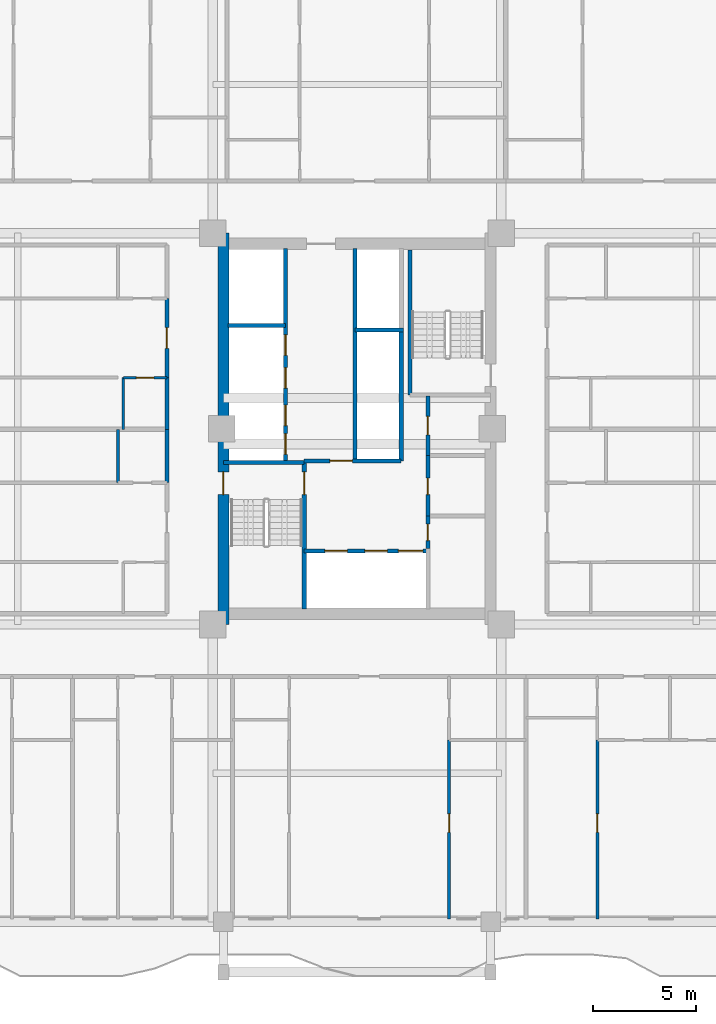
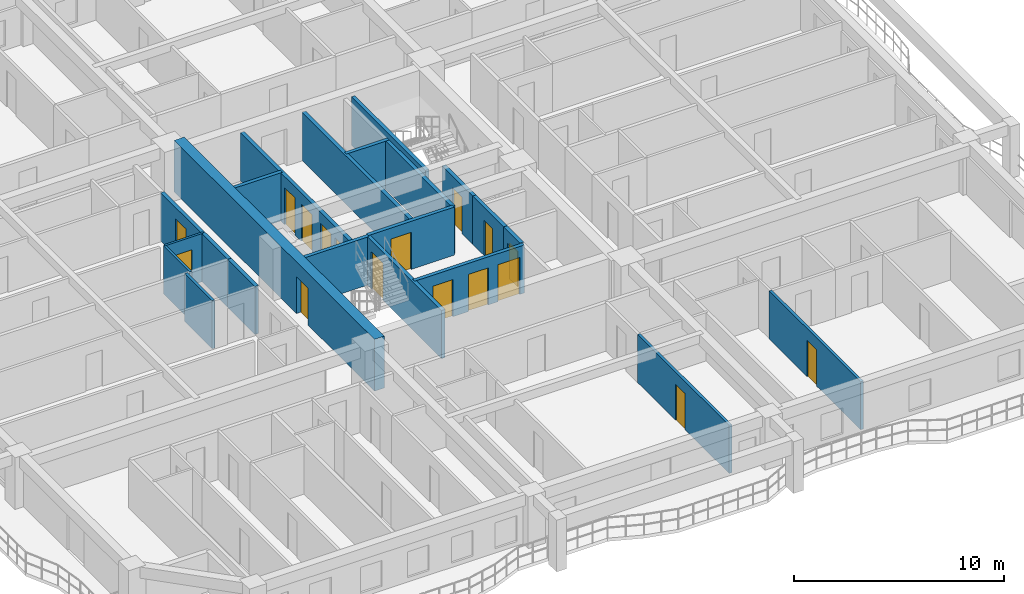
# One storey, part 4 of 13: 22 walls, 17 doors, 17 openings.
"""IFC4 building model written with IfcOpenShell, lengths in metres."""

from ifc_helpers import new_model, si_unit, direction, frame, frame_2d, origin, place, context, subcontext, project, spatial, rectangle, extrude, source, transform, mapped, material, layer, layer_set, type_object, element, fill, save


model = new_model("IFC4")

# Units and contexts
model_context = context("Model", 3, precision=1e-05, world=origin(), true_north=direction((0.0, 1.0)))
body_context = subcontext(model_context, "Body", "Model", "MODEL_VIEW")
ifc_project = project(units=[si_unit("LENGTHUNIT", "METRE"), si_unit("AREAUNIT", "SQUARE_METRE"), si_unit("VOLUMEUNIT", "CUBIC_METRE"), si_unit("PLANEANGLEUNIT", "RADIAN"), si_unit("MASSUNIT", "GRAM", prefix="KILO")], contexts=[model_context])

# Site, building, storey
site_placement = place(None, origin())
site = spatial("IfcSite", under=ifc_project, at=site_placement, CompositionType="ELEMENT")
building_placement = place(site_placement, origin())
building = spatial("IfcBuilding", under=site, at=building_placement, Name="Saelheon Loggia Tower", CompositionType="ELEMENT")
storey_placement = place(building_placement, frame((0.0, 0.0, 83.85009765625)))
storey = spatial("IfcBuildingStorey", under=building, at=storey_placement, Name="L26", CompositionType="ELEMENT", Elevation=83.85009765625)

# Wall, opening, door
ifc_material_1 = material(Name="Concrete C50/60", Category="concrete")
ifc_layer_1 = layer(ifc_material_1, 0.550048828125)
ifc_layer_set_1 = layer_set([ifc_layer_1], Name="Concrete C50/60")
wall_type_1 = type_object("IfcWallType", Name="Wall_CoreShear_550", PredefinedType="SHEAR", material=ifc_layer_set_1)
wall_1_placement = place(storey_placement, frame((31.5, 17.47998046875, 0.0), z_axis=(0.0, 0.0, 1.0), x_axis=(0.0, 1.0, 0.0)))
wall_1 = element("IfcWall", 1, at=wall_1_placement, inside=storey, type_object=wall_type_1, Name="L26 Core Shear Wall West", PredefinedType="SHEAR", context=body_context, shape_type="SweptSolid", body=[
    extrude(rectangle(XDim=19.0400390625, YDim=0.550048828125, at=frame_2d((9.52001953125, 0.0))), origin(), (0.0, 0.0, 1.0), 3.0),
])
opening_1_placement = place(wall_1_placement, frame((6.320068359375, 0.0, 0.0)))
opening_1 = element("IfcOpeningElement", 2, at=opening_1_placement, cuts=wall_1, Name="Opening D-FD2", PredefinedType="OPENING", context=body_context, shape_type="SweptSolid", body=[
    extrude(rectangle(XDim=1.10009765625, YDim=2.14990234375, at=frame_2d((0.550048828125, 1.074951171875))), frame((0.0, 0.287109375, 0.0), z_axis=(0.0, -1.0, 0.0), x_axis=(1.0, 0.0, 0.0)), (0.0, 0.0, 1.0), 0.573974609375),
])
ifc_material_2 = material(Name="Galvanised Steel Fire Door", Category="steel")
door_type_1 = type_object("IfcDoorType", Name="Door_Fire_FD60_1100", OperationType="NOTDEFINED", PredefinedType="DOOR", material=ifc_material_2)
shared_shape_1 = source(origin(), body_context, "Body", "SweptSolid", [
    extrude(rectangle(XDim=1.10009765625, YDim=2.14990234375, at=frame_2d((0.550048828125, 1.074951171875))), frame((0.0, 0.02490234375, 0.0), z_axis=(0.0, -1.0, 0.0), x_axis=(1.0, 0.0, 0.0)), (0.0, 0.0, 1.0), 0.050048828125),
])
door_1_placement = place(opening_1_placement, origin())
door_1 = element("IfcDoor", 3, at=door_1_placement, inside=storey, type_object=door_type_1, Name="L26 Stair ST1 Corridor Door", OperationType="SINGLE_SWING_LEFT", OverallHeight=2.14990234375, OverallWidth=1.10009765625, PredefinedType="DOOR", context=body_context, shape_type="MappedRepresentation", body=[
    mapped(shared_shape_1, transform((0.0, 0.0, 0.0), scale=1.0)),
])
fill(opening_1, door_1)

ifc_material_3 = material(Name="Lightweight Autoclaved Aerated Concrete Block and Acoustic Gypsum", Category="concrete")
ifc_layer_2 = layer(ifc_material_3, 0.14990234375)
ifc_layer_set_2 = layer_set([ifc_layer_2], Name="Lightweight Autoclaved Aerated Concrete Block and Acoustic Gypsum")
wall_type_2 = type_object("IfcWallType", Name="Wall_Part_150", PredefinedType="PARTITIONING", material=ifc_layer_set_2)
wall_2_placement = place(storey_placement, frame((42.47998046875, 11.85009765625, 0.0), z_axis=(0.0, 0.0, 1.0), x_axis=(0.0, -1.0, 0.0)))
wall_2 = element("IfcWall", 4, at=wall_2_placement, inside=storey, type_object=wall_type_2, Name="L26 S Partition U34", PredefinedType="PARTITIONING", context=body_context, shape_type="SweptSolid", body=[
    extrude(rectangle(XDim=8.7001953125, YDim=0.14990234375, at=frame_2d((4.35009765625, 0.0))), origin(), (0.0, 0.0, 1.0), 2.789794921875),
])
opening_2_placement = place(wall_2_placement, frame((3.594970703125, 0.0, 0.0)))
opening_2 = element("IfcOpeningElement", 5, at=opening_2_placement, cuts=wall_2, Name="Opening D-IN2", PredefinedType="OPENING", context=body_context, shape_type="SweptSolid", body=[
    extrude(rectangle(XDim=0.89990234375, YDim=2.10009765625, at=frame_2d((0.449951171875, 1.050048828125))), frame((0.0, 0.0869140625, 0.0), z_axis=(0.0, -1.0, 0.0), x_axis=(1.0, 0.0, 0.0)), (0.0, 0.0, 1.0), 0.173828125),
])
ifc_material_4 = material(Name="Engineered Oak Flush Door", Category="timber")
door_type_2 = type_object("IfcDoorType", Name="Door_Int_900", OperationType="NOTDEFINED", PredefinedType="DOOR", material=ifc_material_4)
shared_shape_2 = source(origin(), body_context, "Body", "SweptSolid", [
    extrude(rectangle(XDim=0.89990234375, YDim=2.10009765625, at=frame_2d((0.449951171875, 1.050048828125))), frame((0.0, 0.02490234375, 0.0), z_axis=(0.0, -1.0, 0.0), x_axis=(1.0, 0.0, 0.0)), (0.0, 0.0, 1.0), 0.050048828125),
])
door_2_placement = place(opening_2_placement, origin())
door_2 = element("IfcDoor", 6, at=door_2_placement, inside=storey, type_object=door_type_2, Name="Unit U03 Bedroom 1 Door", OperationType="SINGLE_SWING_RIGHT", OverallHeight=2.10009765625, OverallWidth=0.89990234375, PredefinedType="DOOR", context=body_context, shape_type="MappedRepresentation", body=[
    mapped(shared_shape_2, transform((0.0, 0.0, 0.0), scale=1.0)),
])
fill(opening_2, door_2)

wall_3_placement = place(storey_placement, frame((49.70068359375, 11.85009765625, 0.0), z_axis=(0.0, 0.0, 1.0), x_axis=(0.0, -1.0, 0.0)))
wall_3 = element("IfcWall", 7, at=wall_3_placement, inside=storey, type_object=wall_type_2, Name="L26 S Partition U47", PredefinedType="PARTITIONING", context=body_context, shape_type="SweptSolid", body=[
    extrude(rectangle(XDim=8.7001953125, YDim=0.14990234375, at=frame_2d((4.35009765625, 0.0))), origin(), (0.0, 0.0, 1.0), 2.789794921875),
])
opening_3_placement = place(wall_3_placement, frame((3.594970703125, 0.0, 0.0)))
opening_3 = element("IfcOpeningElement", 8, at=opening_3_placement, cuts=wall_3, Name="Opening D-IN2", PredefinedType="OPENING", context=body_context, shape_type="SweptSolid", body=[
    extrude(rectangle(XDim=0.89990234375, YDim=2.10009765625, at=frame_2d((0.449951171875, 1.050048828125))), frame((0.0, 0.0869140625, 0.0), z_axis=(0.0, -1.0, 0.0), x_axis=(1.0, 0.0, 0.0)), (0.0, 0.0, 1.0), 0.173828125),
])
door_3_placement = place(opening_3_placement, origin())
door_3 = element("IfcDoor", 9, at=door_3_placement, inside=storey, type_object=door_type_2, Name="Unit U04 Bedroom 2 Door", OperationType="SINGLE_SWING_LEFT", OverallHeight=2.10009765625, OverallWidth=0.89990234375, PredefinedType="DOOR", context=body_context, shape_type="MappedRepresentation", body=[
    mapped(shared_shape_2, transform((0.0, 0.0, 0.0), scale=1.0)),
])
fill(opening_3, door_3)

# Walls
wall_4_placement = place(storey_placement, frame((26.3701171875, 24.375, 0.0), z_axis=(0.0, 0.0, 1.0), x_axis=(0.0, 1.0, 0.0)))
element("IfcWall", 10, at=wall_4_placement, inside=storey, type_object=wall_type_2, Name="L26 W Partition V07", PredefinedType="PARTITIONING", context=body_context, shape_type="SweptSolid", body=[
    extrude(rectangle(XDim=2.60009765625, YDim=0.14990234375, at=frame_2d((1.300048828125, 0.0))), origin(), (0.0, 0.0, 1.0), 2.789794921875),
])
ifc_material_5 = material(Name="Double Acoustic Stud and Fireboard Partition", Category="gypsum")
ifc_layer_3 = layer(ifc_material_5, 0.199951171875)
ifc_layer_set_3 = layer_set([ifc_layer_3], Name="Double Acoustic Stud and Fireboard Partition")
wall_type_3 = type_object("IfcWallType", Name="Wall_Party_200", PredefinedType="PARTITIONING", material=ifc_layer_set_3)
wall_5_placement = place(storey_placement, frame((28.75, 24.375, 0.0), z_axis=(0.0, 0.0, 1.0), x_axis=(0.0, 1.0, 0.0)))
element("IfcWall", 11, at=wall_5_placement, inside=storey, type_object=wall_type_3, Name="L26 W Partition V05", PredefinedType="PARTITIONING", context=body_context, shape_type="SweptSolid", body=[
    extrude(rectangle(XDim=2.60009765625, YDim=0.199951171875, at=frame_2d((1.300048828125, 0.0))), origin(), (0.0, 0.0, 1.0), 2.789794921875),
])
wall_6_placement = place(storey_placement, frame((28.75, 26.97509765625, 0.0), z_axis=(0.0, 0.0, 1.0), x_axis=(0.0, 1.0, 0.0)))
element("IfcWall", 12, at=wall_6_placement, inside=storey, type_object=wall_type_3, Name="L26 W Partition V13", PredefinedType="PARTITIONING", context=body_context, shape_type="SweptSolid", body=[
    extrude(rectangle(XDim=2.512939453125, YDim=0.199951171875, at=frame_2d((1.25634765625, 0.0))), origin(), (0.0, 0.0, 1.0), 2.789794921875),
])

# Wall, opening, door
wall_7_placement = place(storey_placement, frame((28.75, 29.488037109375, 0.0), z_axis=(0.0, 0.0, 1.0), x_axis=(0.0, 1.0, 0.0)))
wall_7 = element("IfcWall", 13, at=wall_7_placement, inside=storey, type_object=wall_type_3, Name="L26 W Partition V14", PredefinedType="PARTITIONING", context=body_context, shape_type="SweptSolid", body=[
    extrude(rectangle(XDim=3.862060546875, YDim=0.199951171875, at=frame_2d((1.93115234375, 0.0))), origin(), (0.0, 0.0, 1.0), 2.789794921875),
])
opening_4_placement = place(wall_7_placement, frame((1.430908203125, 0.0, 0.0)))
opening_4 = element("IfcOpeningElement", 14, at=opening_4_placement, cuts=wall_7, Name="Opening D-FD1", PredefinedType="OPENING", context=body_context, shape_type="SweptSolid", body=[
    extrude(rectangle(XDim=1.0, YDim=2.14990234375, at=frame_2d((0.5, 1.074951171875))), frame((0.0, 0.112060546875, 0.0), z_axis=(0.0, -1.0, 0.0), x_axis=(1.0, 0.0, 0.0)), (0.0, 0.0, 1.0), 0.223876953125),
])
ifc_material_6 = material(Name="Fire-Rated Engineered Timber Entrance Door", Category="wood")
door_type_3 = type_object("IfcDoorType", Name="Door_Flat_FD30S", OperationType="NOTDEFINED", PredefinedType="DOOR", material=ifc_material_6)
shared_shape_3 = source(origin(), body_context, "Body", "SweptSolid", [
    extrude(rectangle(XDim=1.0, YDim=2.14990234375, at=frame_2d((0.5, 1.074951171875))), frame((0.0, 0.02490234375, 0.0), z_axis=(0.0, -1.0, 0.0), x_axis=(1.0, 0.0, 0.0)), (0.0, 0.0, 1.0), 0.050048828125),
])
door_4_placement = place(opening_4_placement, origin())
door_4 = element("IfcDoor", 15, at=door_4_placement, inside=storey, type_object=door_type_3, Name="Unit U09 Entrance Door", OperationType="SINGLE_SWING_LEFT", OverallHeight=2.14990234375, OverallWidth=1.0, PredefinedType="DOOR", context=body_context, shape_type="MappedRepresentation", body=[
    mapped(shared_shape_3, transform((0.0, 0.0, 0.0), scale=1.0)),
])
fill(opening_4, door_4)

ifc_material_7 = material(Name="Concrete C40/50", Category="concrete")
ifc_layer_4 = layer(ifc_material_7, 0.199951171875)
ifc_layer_set_4 = layer_set([ifc_layer_4], Name="Concrete C40/50")
wall_type_4 = type_object("IfcWallType", Name="Wall_Shaft_200", PredefinedType="PARTITIONING", material=ifc_layer_set_4)
wall_8_placement = place(storey_placement, frame((41.449951171875, 21.179931640625, 0.0), z_axis=(0.0, 0.0, 1.0), x_axis=(0.0, 1.0, 0.0)))
wall_8 = element("IfcWall", 16, at=wall_8_placement, inside=storey, type_object=wall_type_4, Name="CW-INT-L26-BOH-W1", PredefinedType="PARTITIONING", context=body_context, shape_type="SweptSolid", body=[
    extrude(rectangle(XDim=1.570068359375, YDim=0.199951171875, at=frame_2d((0.78515625, 0.0))), origin(), (0.0, 0.0, 1.0), 2.789794921875),
])
opening_5_placement = place(wall_8_placement, frame((0.3798828125, 0.0, 0.0)))
opening_5 = element("IfcOpeningElement", 17, at=opening_5_placement, cuts=wall_8, Name="Opening D-ST1", PredefinedType="OPENING", context=body_context, shape_type="SweptSolid", body=[
    extrude(rectangle(XDim=0.800048828125, YDim=2.050048828125, at=frame_2d((0.39990234375, 1.02490234375))), frame((0.0, 0.112060546875, 0.0), z_axis=(0.0, -1.0, 0.0), x_axis=(1.0, 0.0, 0.0)), (0.0, 0.0, 1.0), 0.223876953125),
])
ifc_material_8 = material(Name="Powder-Coated Steel Store Door", Category="steel")
door_type_4 = type_object("IfcDoorType", Name="Door_Store_800", OperationType="NOTDEFINED", PredefinedType="DOOR", material=ifc_material_8)
shared_shape_4 = source(origin(), body_context, "Body", "SweptSolid", [
    extrude(rectangle(XDim=0.800048828125, YDim=2.050048828125, at=frame_2d((0.39990234375, 1.02490234375))), frame((0.0, 0.02490234375, 0.0), z_axis=(0.0, -1.0, 0.0), x_axis=(1.0, 0.0, 0.0)), (0.0, 0.0, 1.0), 0.050048828125),
])
door_5_placement = place(opening_5_placement, origin())
door_5 = element("IfcDoor", 18, at=door_5_placement, inside=storey, type_object=door_type_4, Name="L26 Cleaner Store Door", OperationType="SINGLE_SWING_LEFT", OverallHeight=2.050048828125, OverallWidth=0.800048828125, PredefinedType="DOOR", context=body_context, shape_type="MappedRepresentation", body=[
    mapped(shared_shape_4, transform((0.0, 0.0, 0.0), scale=1.0)),
])
fill(opening_5, door_5)

wall_9_placement = place(storey_placement, frame((41.449951171875, 22.75, 0.0), z_axis=(0.0, 0.0, 1.0), x_axis=(0.0, 1.0, 0.0)))
wall_9 = element("IfcWall", 19, at=wall_9_placement, inside=storey, type_object=wall_type_4, Name="CW-INT-L26-BOH-W2", PredefinedType="PARTITIONING", context=body_context, shape_type="SweptSolid", body=[
    extrude(rectangle(XDim=2.949951171875, YDim=0.199951171875, at=frame_2d((1.47509765625, 0.0))), origin(), (0.0, 0.0, 1.0), 2.789794921875),
])
opening_6_placement = place(wall_9_placement, frame((1.050048828125, 0.0, 0.0)))
opening_6 = element("IfcOpeningElement", 20, at=opening_6_placement, cuts=wall_9, Name="Opening D-ST1", PredefinedType="OPENING", context=body_context, shape_type="SweptSolid", body=[
    extrude(rectangle(XDim=0.800048828125, YDim=2.050048828125, at=frame_2d((0.39990234375, 1.02490234375))), frame((0.0, 0.112060546875, 0.0), z_axis=(0.0, -1.0, 0.0), x_axis=(1.0, 0.0, 0.0)), (0.0, 0.0, 1.0), 0.223876953125),
])
door_6_placement = place(opening_6_placement, origin())
door_6 = element("IfcDoor", 21, at=door_6_placement, inside=storey, type_object=door_type_4, Name="L26 Electrical Riser Door", OperationType="SINGLE_SWING_RIGHT", OverallHeight=2.050048828125, OverallWidth=0.800048828125, PredefinedType="DOOR", context=body_context, shape_type="MappedRepresentation", body=[
    mapped(shared_shape_4, transform((0.0, 0.0, 0.0), scale=1.0)),
])
fill(opening_6, door_6)

wall_10_placement = place(storey_placement, frame((41.449951171875, 25.699951171875, 0.0), z_axis=(0.0, 0.0, 1.0), x_axis=(0.0, 1.0, 0.0)))
wall_10 = element("IfcWall", 22, at=wall_10_placement, inside=storey, type_object=wall_type_4, Name="CW-INT-L26-BOH-W3", PredefinedType="PARTITIONING", context=body_context, shape_type="SweptSolid", body=[
    extrude(rectangle(XDim=2.900146484375, YDim=0.199951171875, at=frame_2d((1.4501953125, 0.0))), origin(), (0.0, 0.0, 1.0), 2.789794921875),
])
opening_7_placement = place(wall_10_placement, frame((1.0, 0.0, 0.0)))
opening_7 = element("IfcOpeningElement", 23, at=opening_7_placement, cuts=wall_10, Name="Opening D-RS1", PredefinedType="OPENING", context=body_context, shape_type="SweptSolid", body=[
    extrude(rectangle(XDim=0.89990234375, YDim=2.10009765625, at=frame_2d((0.449951171875, 1.050048828125))), frame((0.0, 0.112060546875, 0.0), z_axis=(0.0, -1.0, 0.0), x_axis=(1.0, 0.0, 0.0)), (0.0, 0.0, 1.0), 0.223876953125),
])
ifc_material_9 = material(Name="Galvanised Steel Riser Access Door", Category="steel")
door_type_5 = type_object("IfcDoorType", Name="Door_Riser_FD60", OperationType="NOTDEFINED", PredefinedType="DOOR", material=ifc_material_9)
door_7_placement = place(opening_7_placement, origin())
door_7 = element("IfcDoor", 24, at=door_7_placement, inside=storey, type_object=door_type_5, Name="L26 Floor IT Room Door", OperationType="SINGLE_SWING_LEFT", OverallHeight=2.10009765625, OverallWidth=0.89990234375, PredefinedType="DOOR", context=body_context, shape_type="MappedRepresentation", body=[
    mapped(shared_shape_2, transform((0.0, 0.0, 0.0), scale=1.0)),
])
fill(opening_7, door_7)

# Wall
wall_11_placement = place(storey_placement, frame((40.14990234375, 25.43994140625, 0.0), z_axis=(0.0, 0.0, 1.0), x_axis=(0.0, 1.0, 0.0)))
element("IfcWall", 25, at=wall_11_placement, inside=storey, type_object=wall_type_4, Name="L26 Core Service Passage West Wall", PredefinedType="PARTITIONING", context=body_context, shape_type="SweptSolid", body=[
    extrude(rectangle(XDim=6.360107421875, YDim=0.199951171875, at=frame_2d((3.18017578125, 0.0))), origin(), (0.0, 0.0, 1.0), 2.789794921875),
])

# Wall, openings, doors
wall_12_placement = place(storey_placement, frame((35.429931640625, 21.06005859375, 0.0), z_axis=(0.0, 0.0, 1.0), x_axis=(1.0, 0.0, 0.0)))
wall_12 = element("IfcWall", 26, at=wall_12_placement, inside=storey, type_object=wall_type_4, Name="L26 Firefighting Lift Shaft Front Wall", PredefinedType="PARTITIONING", context=body_context, shape_type="SweptSolid", body=[
    extrude(rectangle(XDim=6.02001953125, YDim=0.199951171875, at=frame_2d((3.010009765625, 0.0))), origin(), (0.0, 0.0, 1.0), 2.789794921875),
])
opening_8_placement = place(wall_12_placement, frame((1.0, 0.0, 0.0)))
opening_8 = element("IfcOpeningElement", 27, at=opening_8_placement, cuts=wall_12, Name="Opening LD2", PredefinedType="OPENING", context=body_context, shape_type="SweptSolid", body=[
    extrude(rectangle(XDim=1.10009765625, YDim=2.14990234375, at=frame_2d((0.550048828125, 1.074951171875))), frame((0.0, 0.112060546875, 0.0), z_axis=(0.0, -1.0, 0.0), x_axis=(1.0, 0.0, 0.0)), (0.0, 0.0, 1.0), 0.223876953125),
])
opening_9_placement = place(wall_12_placement, frame((2.949951171875, 0.0, 0.0)))
opening_9 = element("IfcOpeningElement", 28, at=opening_9_placement, cuts=wall_12, Name="Opening LD2", PredefinedType="OPENING", context=body_context, shape_type="SweptSolid", body=[
    extrude(rectangle(XDim=1.10009765625, YDim=2.14990234375, at=frame_2d((0.550048828125, 1.074951171875))), frame((0.0, 0.112060546875, 0.0), z_axis=(0.0, -1.0, 0.0), x_axis=(1.0, 0.0, 0.0)), (0.0, 0.0, 1.0), 0.223876953125),
])
opening_10_placement = place(wall_12_placement, frame((4.580078125, 0.0, 0.0)))
opening_10 = element("IfcOpeningElement", 29, at=opening_10_placement, cuts=wall_12, Name="Opening LD3", PredefinedType="OPENING", context=body_context, shape_type="SweptSolid", body=[
    extrude(rectangle(XDim=1.199951171875, YDim=2.14990234375, at=frame_2d((0.60009765625, 1.074951171875))), frame((0.0, 0.112060546875, 0.0), z_axis=(0.0, -1.0, 0.0), x_axis=(1.0, 0.0, 0.0)), (0.0, 0.0, 1.0), 0.223876953125),
])
ifc_material_10 = material(Name="Firefighting Stainless Steel 316 Landing Door", Category="steel")
door_type_6 = type_object("IfcDoorType", Name="Door_Lift_LD2", OperationType="DOUBLE_DOOR_SLIDING", PredefinedType="DOOR", material=ifc_material_10)
door_8_placement = place(opening_8_placement, origin())
door_8 = element("IfcDoor", 30, at=door_8_placement, inside=storey, type_object=door_type_6, Name="L26 FF1 Landing Door", OperationType="DOUBLE_DOOR_SLIDING", OverallHeight=2.14990234375, OverallWidth=1.10009765625, PredefinedType="DOOR", context=body_context, shape_type="MappedRepresentation", body=[
    mapped(shared_shape_1, transform((0.0, 0.0, 0.0), scale=1.0)),
])
fill(opening_8, door_8)
door_9_placement = place(opening_9_placement, origin())
door_9 = element("IfcDoor", 31, at=door_9_placement, inside=storey, type_object=door_type_6, Name="L26 FF2 Landing Door", OperationType="DOUBLE_DOOR_SLIDING", OverallHeight=2.14990234375, OverallWidth=1.10009765625, PredefinedType="DOOR", context=body_context, shape_type="MappedRepresentation", body=[
    mapped(shared_shape_1, transform((0.0, 0.0, 0.0), scale=1.0)),
])
fill(opening_9, door_9)
ifc_material_11 = material(Name="Stretcher Lift Stainless Steel 304 Landing Door", Category="steel")
door_type_7 = type_object("IfcDoorType", Name="Door_Lift_LD3", OperationType="DOUBLE_DOOR_SLIDING", PredefinedType="DOOR", material=ifc_material_11)
shared_shape_5 = source(origin(), body_context, "Body", "SweptSolid", [
    extrude(rectangle(XDim=1.199951171875, YDim=2.14990234375, at=frame_2d((0.60009765625, 1.074951171875))), frame((0.0, 0.02490234375, 0.0), z_axis=(0.0, -1.0, 0.0), x_axis=(1.0, 0.0, 0.0)), (0.0, 0.0, 1.0), 0.050048828125),
])
door_10_placement = place(opening_10_placement, origin())
door_10 = element("IfcDoor", 32, at=door_10_placement, inside=storey, type_object=door_type_7, Name="L26 SV1 Landing Door", OperationType="DOUBLE_DOOR_SLIDING", OverallHeight=2.14990234375, OverallWidth=1.199951171875, PredefinedType="DOOR", context=body_context, shape_type="MappedRepresentation", body=[
    mapped(shared_shape_5, transform((0.0, 0.0, 0.0), scale=1.0)),
])
fill(opening_10, door_10)

# Wall, opening, door
wall_13_placement = place(storey_placement, frame((35.429931640625, 25.43994140625, 0.0), z_axis=(0.0, 0.0, 1.0), x_axis=(1.0, 0.0, 0.0)))
wall_13 = element("IfcWall", 33, at=wall_13_placement, inside=storey, type_object=wall_type_4, Name="L26 Firefighting Lobby Compartment Wall", PredefinedType="PARTITIONING", context=body_context, shape_type="SweptSolid", body=[
    extrude(rectangle(XDim=4.719970703125, YDim=0.199951171875, at=frame_2d((2.35986328125, 0.0))), origin(), (0.0, 0.0, 1.0), 2.789794921875),
])
opening_11_placement = place(wall_13_placement, frame((1.25, 0.0, 0.0)))
opening_11 = element("IfcOpeningElement", 34, at=opening_11_placement, cuts=wall_13, Name="Opening D-FD2", PredefinedType="OPENING", context=body_context, shape_type="SweptSolid", body=[
    extrude(rectangle(XDim=1.10009765625, YDim=2.14990234375, at=frame_2d((0.550048828125, 1.074951171875))), frame((0.0, 0.112060546875, 0.0), z_axis=(0.0, -1.0, 0.0), x_axis=(1.0, 0.0, 0.0)), (0.0, 0.0, 1.0), 0.223876953125),
])
door_11_placement = place(opening_11_placement, origin())
door_11 = element("IfcDoor", 35, at=door_11_placement, inside=storey, type_object=door_type_1, Name="L26 Firefighting Lobby Door", OperationType="SINGLE_SWING_RIGHT", OverallHeight=2.14990234375, OverallWidth=1.10009765625, PredefinedType="DOOR", context=body_context, shape_type="MappedRepresentation", body=[
    mapped(shared_shape_1, transform((0.0, 0.0, 0.0), scale=1.0)),
])
fill(opening_11, door_11)

# Wall, openings, doors
wall_14_placement = place(storey_placement, frame((34.52001953125, 25.43994140625, 0.0), z_axis=(0.0, 0.0, 1.0), x_axis=(0.0, 1.0, 0.0)))
wall_14 = element("IfcWall", 36, at=wall_14_placement, inside=storey, type_object=wall_type_4, Name="L26 West Passenger Lift Bank Wall", PredefinedType="PARTITIONING", context=body_context, shape_type="SweptSolid", body=[
    extrude(rectangle(XDim=10.340087890625, YDim=0.199951171875, at=frame_2d((5.169921875, 0.0))), origin(), (0.0, 0.0, 1.0), 2.789794921875),
])
opening_12_placement = place(wall_14_placement, frame((0.320068359375, 0.0, 0.0)))
opening_12 = element("IfcOpeningElement", 37, at=opening_12_placement, cuts=wall_14, Name="Opening LD1", PredefinedType="OPENING", context=body_context, shape_type="SweptSolid", body=[
    extrude(rectangle(XDim=1.0, YDim=2.14990234375, at=frame_2d((0.5, 1.074951171875))), frame((0.0, 0.112060546875, 0.0), z_axis=(0.0, -1.0, 0.0), x_axis=(1.0, 0.0, 0.0)), (0.0, 0.0, 1.0), 0.223876953125),
])
opening_13_placement = place(wall_14_placement, frame((1.7099609375, 0.0, 0.0)))
opening_13 = element("IfcOpeningElement", 38, at=opening_13_placement, cuts=wall_14, Name="Opening LD1", PredefinedType="OPENING", context=body_context, shape_type="SweptSolid", body=[
    extrude(rectangle(XDim=1.0, YDim=2.14990234375, at=frame_2d((0.5, 1.074951171875))), frame((0.0, 0.112060546875, 0.0), z_axis=(0.0, -1.0, 0.0), x_axis=(1.0, 0.0, 0.0)), (0.0, 0.0, 1.0), 0.223876953125),
])
opening_14_placement = place(wall_14_placement, frame((3.534912109375, 0.0, 0.0)))
opening_14 = element("IfcOpeningElement", 39, at=opening_14_placement, cuts=wall_14, Name="Opening LD1", PredefinedType="OPENING", context=body_context, shape_type="SweptSolid", body=[
    extrude(rectangle(XDim=1.0, YDim=2.14990234375, at=frame_2d((0.5, 1.074951171875))), frame((0.0, 0.112060546875, 0.0), z_axis=(0.0, -1.0, 0.0), x_axis=(1.0, 0.0, 0.0)), (0.0, 0.0, 1.0), 0.223876953125),
])
opening_15_placement = place(wall_14_placement, frame((5.135009765625, 0.0, 0.0)))
opening_15 = element("IfcOpeningElement", 40, at=opening_15_placement, cuts=wall_14, Name="Opening LD1", PredefinedType="OPENING", context=body_context, shape_type="SweptSolid", body=[
    extrude(rectangle(XDim=1.0, YDim=2.14990234375, at=frame_2d((0.5, 1.074951171875))), frame((0.0, 0.112060546875, 0.0), z_axis=(0.0, -1.0, 0.0), x_axis=(1.0, 0.0, 0.0)), (0.0, 0.0, 1.0), 0.223876953125),
])
ifc_material_12 = material(Name="Brushed Stainless Steel 304 Landing Door", Category="steel")
door_type_8 = type_object("IfcDoorType", Name="Door_Lift_LD1", OperationType="DOUBLE_DOOR_SLIDING", PredefinedType="DOOR", material=ifc_material_12)
door_12_placement = place(opening_12_placement, origin())
door_12 = element("IfcDoor", 41, at=door_12_placement, inside=storey, type_object=door_type_8, Name="L26 PL1 Landing Door", OperationType="DOUBLE_DOOR_SLIDING", OverallHeight=2.14990234375, OverallWidth=1.0, PredefinedType="DOOR", context=body_context, shape_type="MappedRepresentation", body=[
    mapped(shared_shape_3, transform((0.0, 0.0, 0.0), scale=1.0)),
])
fill(opening_12, door_12)
door_13_placement = place(opening_13_placement, origin())
door_13 = element("IfcDoor", 42, at=door_13_placement, inside=storey, type_object=door_type_8, Name="L26 PL2 Landing Door", OperationType="DOUBLE_DOOR_SLIDING", OverallHeight=2.14990234375, OverallWidth=1.0, PredefinedType="DOOR", context=body_context, shape_type="MappedRepresentation", body=[
    mapped(shared_shape_3, transform((0.0, 0.0, 0.0), scale=1.0)),
])
fill(opening_13, door_13)
door_14_placement = place(opening_14_placement, origin())
door_14 = element("IfcDoor", 43, at=door_14_placement, inside=storey, type_object=door_type_8, Name="L26 PL3 Landing Door", OperationType="DOUBLE_DOOR_SLIDING", OverallHeight=2.14990234375, OverallWidth=1.0, PredefinedType="DOOR", context=body_context, shape_type="MappedRepresentation", body=[
    mapped(shared_shape_3, transform((0.0, 0.0, 0.0), scale=1.0)),
])
fill(opening_14, door_14)
door_15_placement = place(opening_15_placement, origin())
door_15 = element("IfcDoor", 44, at=door_15_placement, inside=storey, type_object=door_type_8, Name="L26 PL4 Landing Door", OperationType="DOUBLE_DOOR_SLIDING", OverallHeight=2.14990234375, OverallWidth=1.0, PredefinedType="DOOR", context=body_context, shape_type="MappedRepresentation", body=[
    mapped(shared_shape_3, transform((0.0, 0.0, 0.0), scale=1.0)),
])
fill(opening_15, door_15)

# Walls
wall_15_placement = place(storey_placement, frame((31.719970703125, 32.02001953125, 0.0), z_axis=(0.0, 0.0, 1.0), x_axis=(1.0, 0.0, 0.0)))
element("IfcWall", 45, at=wall_15_placement, inside=storey, type_object=wall_type_4, Name="L26 West High-Rise Shaft Divider", PredefinedType="PARTITIONING", context=body_context, shape_type="SweptSolid", body=[
    extrude(rectangle(XDim=2.800048828125, YDim=0.199951171875, at=frame_2d((1.39990234375, 0.0))), origin(), (0.0, 0.0, 1.0), 2.789794921875),
])
wall_16_placement = place(storey_placement, frame((37.89990234375, 25.43994140625, 0.0), z_axis=(0.0, 0.0, 1.0), x_axis=(0.0, 1.0, 0.0)))
element("IfcWall", 46, at=wall_16_placement, inside=storey, type_object=wall_type_4, Name="L26 East Passenger Lift Bank Wall", PredefinedType="PARTITIONING", context=body_context, shape_type="SweptSolid", body=[
    extrude(rectangle(XDim=10.340087890625, YDim=0.199951171875, at=frame_2d((5.169921875, 0.0))), origin(), (0.0, 0.0, 1.0), 2.789794921875),
])
wall_17_placement = place(storey_placement, frame((37.89990234375, 31.800048828125, 0.0), z_axis=(0.0, 0.0, 1.0), x_axis=(1.0, 0.0, 0.0)))
element("IfcWall", 47, at=wall_17_placement, inside=storey, type_object=wall_type_4, Name="L26 East High-Rise Shaft Divider", PredefinedType="PARTITIONING", context=body_context, shape_type="SweptSolid", body=[
    extrude(rectangle(XDim=2.35009765625, YDim=0.199951171875, at=frame_2d((1.175048828125, 0.0))), origin(), (0.0, 0.0, 1.0), 2.789794921875),
])

# Wall, opening, door
ifc_material_13 = material(Name="Concrete C45/55", Category="concrete")
ifc_layer_5 = layer(ifc_material_13, 0.199951171875)
ifc_layer_set_5 = layer_set([ifc_layer_5], Name="Concrete C45/55")
wall_type_5 = type_object("IfcWallType", Name="Wall_StairShaft_RC200", PredefinedType="SOLIDWALL", material=ifc_layer_set_5)
wall_18_placement = place(storey_placement, frame((35.429931640625, 18.219970703125, 0.0), z_axis=(0.0, 0.0, 1.0), x_axis=(0.0, 1.0, 0.0)))
wall_18 = element("IfcWall", 48, at=wall_18_placement, inside=storey, type_object=wall_type_5, Name="L26 Stair ST1 Shaft Wall", PredefinedType="SOLIDWALL", context=body_context, shape_type="SweptSolid", body=[
    extrude(rectangle(XDim=7.219970703125, YDim=0.199951171875, at=frame_2d((3.60986328125, 0.0))), origin(), (0.0, 0.0, 1.0), 2.789794921875),
])
opening_16_placement = place(wall_18_placement, frame((6.68017578125, 0.0, 0.0), z_axis=(0.0, 0.0, 1.0), x_axis=(-1.0, 0.0, 0.0)))
opening_16 = element("IfcOpeningElement", 49, at=opening_16_placement, cuts=wall_18, Name="Opening D-FD2", PredefinedType="OPENING", context=body_context, shape_type="SweptSolid", body=[
    extrude(rectangle(XDim=1.10009765625, YDim=2.14990234375, at=frame_2d((0.550048828125, 1.074951171875))), frame((0.0, 0.112060546875, 0.0), z_axis=(0.0, -1.0, 0.0), x_axis=(1.0, 0.0, 0.0)), (0.0, 0.0, 1.0), 0.223876953125),
])
door_16_placement = place(opening_16_placement, origin())
door_16 = element("IfcDoor", 50, at=door_16_placement, inside=storey, type_object=door_type_1, Name="L26 Stair ST1 Lobby Door", OperationType="SINGLE_SWING_LEFT", OverallHeight=2.14990234375, OverallWidth=1.10009765625, PredefinedType="DOOR", context=body_context, shape_type="MappedRepresentation", body=[
    mapped(shared_shape_1, transform((0.0, 0.0, 0.0), scale=1.0)),
])
fill(opening_16, door_16)

# Walls
wall_19_placement = place(storey_placement, frame((31.5, 25.35009765625, 0.0), z_axis=(0.0, 0.0, 1.0), x_axis=(1.0, 0.0, 0.0)))
element("IfcWall", 51, at=wall_19_placement, inside=storey, type_object=wall_type_5, Name="L26 Stair ST1 North Wall", PredefinedType="SOLIDWALL", context=body_context, shape_type="SweptSolid", body=[
    extrude(rectangle(XDim=3.929931640625, YDim=0.199951171875, at=frame_2d((1.96484375, 0.0))), origin(), (0.0, 0.0, 1.0), 2.789794921875),
])
wall_20_placement = place(storey_placement, frame((40.570068359375, 28.64990234375, 0.0), z_axis=(0.0, 0.0, 1.0), x_axis=(0.0, 1.0, 0.0)))
element("IfcWall", 52, at=wall_20_placement, inside=storey, type_object=wall_type_5, Name="L26 Stair ST2 Shaft Wall", PredefinedType="SOLIDWALL", context=body_context, shape_type="SweptSolid", body=[
    extrude(rectangle(XDim=7.050048828125, YDim=0.199951171875, at=frame_2d((3.52490234375, 0.0))), origin(), (0.0, 0.0, 1.0), 2.789794921875),
])
ifc_material_14 = material(Name="Moisture-Resistant Cement Board Partition", Category="gypsum")
ifc_layer_6 = layer(ifc_material_14, 0.1201171875)
ifc_layer_set_6 = layer_set([ifc_layer_6], Name="Moisture-Resistant Cement Board Partition")
wall_type_6 = type_object("IfcWallType", Name="Wall_WetPart_120", PredefinedType="PARTITIONING", material=ifc_layer_set_6)
wall_21_placement = place(storey_placement, frame((26.6298828125, 26.97509765625, 0.0), z_axis=(0.0, 0.0, 1.0), x_axis=(0.0, 1.0, 0.0)))
element("IfcWall", 53, at=wall_21_placement, inside=storey, type_object=wall_type_6, Name="L26 W Partition V16", PredefinedType="PARTITIONING", context=body_context, shape_type="SweptSolid", body=[
    extrude(rectangle(XDim=2.512939453125, YDim=0.1201171875, at=frame_2d((1.25634765625, 0.0))), origin(), (0.0, 0.0, 1.0), 2.789794921875),
])

# Wall, opening, door
wall_22_placement = place(storey_placement, frame((28.75, 29.488037109375, 0.0), z_axis=(0.0, 0.0, 1.0), x_axis=(-1.0, 0.0, 0.0)))
wall_22 = element("IfcWall", 54, at=wall_22_placement, inside=storey, type_object=wall_type_6, Name="L26 W Partition U18", PredefinedType="PARTITIONING", context=body_context, shape_type="SweptSolid", body=[
    extrude(rectangle(XDim=2.1201171875, YDim=0.1201171875, at=frame_2d((1.06005859375, 0.0))), origin(), (0.0, 0.0, 1.0), 2.789794921875),
])
opening_17_placement = place(wall_22_placement, frame((0.635009765625, 0.0, 0.0)))
opening_17 = element("IfcOpeningElement", 55, at=opening_17_placement, cuts=wall_22, Name="Opening D-BT1", PredefinedType="OPENING", context=body_context, shape_type="SweptSolid", body=[
    extrude(rectangle(XDim=0.85009765625, YDim=2.050048828125, at=frame_2d((0.425048828125, 1.02490234375))), frame((0.0, 0.072021484375, 0.0), z_axis=(0.0, -1.0, 0.0), x_axis=(1.0, 0.0, 0.0)), (0.0, 0.0, 1.0), 0.14404296875),
])
ifc_material_15 = material(Name="Moisture-Resistant Laminate Timber Door", Category="wood")
door_type_9 = type_object("IfcDoorType", Name="Door_Bath_850", OperationType="NOTDEFINED", PredefinedType="DOOR", material=ifc_material_15)
shared_shape_6 = source(origin(), body_context, "Body", "SweptSolid", [
    extrude(rectangle(XDim=0.85009765625, YDim=2.050048828125, at=frame_2d((0.425048828125, 1.02490234375))), frame((0.0, 0.02490234375, 0.0), z_axis=(0.0, -1.0, 0.0), x_axis=(1.0, 0.0, 0.0)), (0.0, 0.0, 1.0), 0.050048828125),
])
door_17_placement = place(opening_17_placement, origin())
door_17 = element("IfcDoor", 56, at=door_17_placement, inside=storey, type_object=door_type_9, Name="Unit U09 Bathroom Door", OperationType="SINGLE_SWING_RIGHT", OverallHeight=2.050048828125, OverallWidth=0.85009765625, PredefinedType="DOOR", context=body_context, shape_type="MappedRepresentation", body=[
    mapped(shared_shape_6, transform((0.0, 0.0, 0.0), scale=1.0)),
])
fill(opening_17, door_17)

save(model, "model.ifc")
